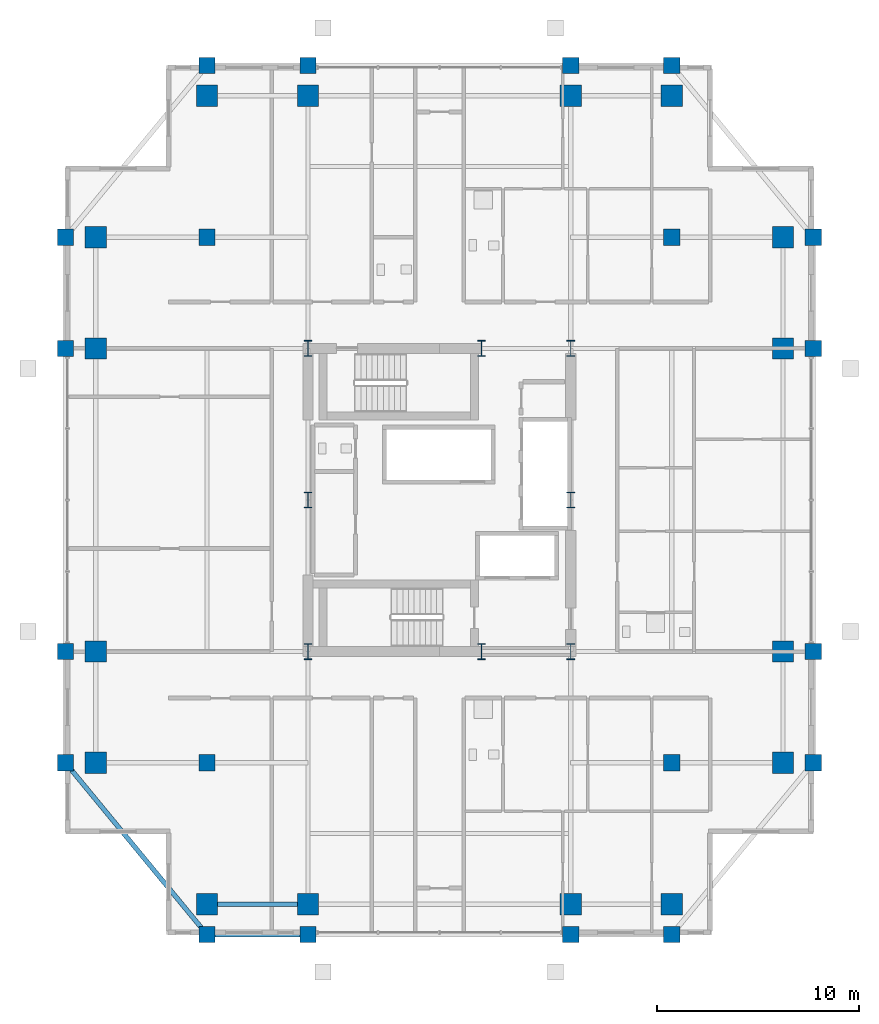
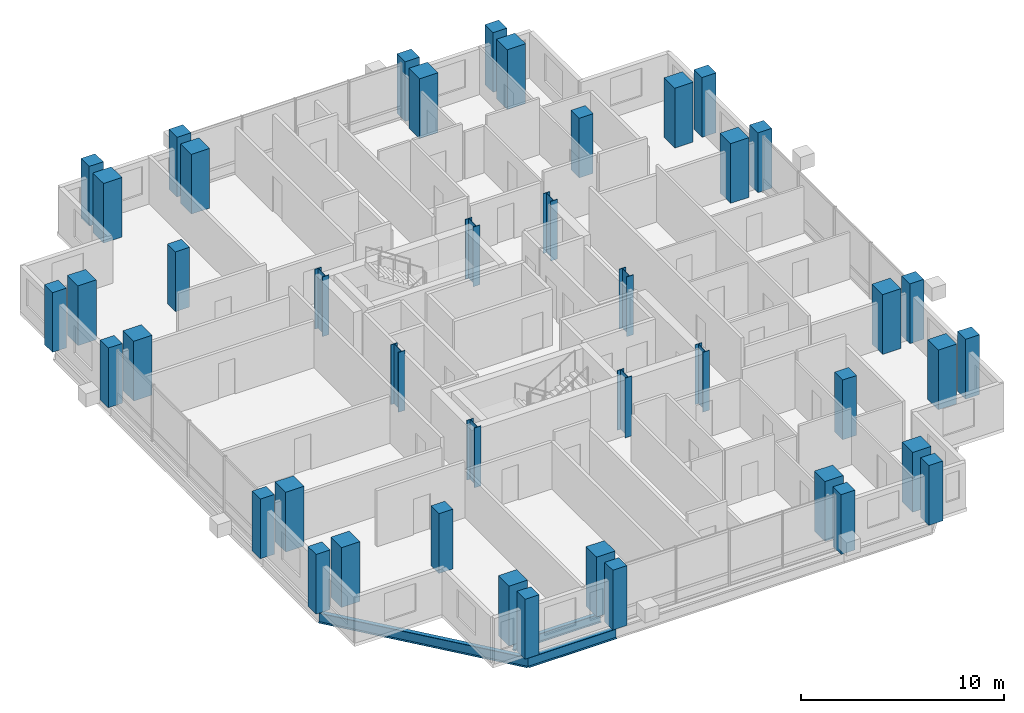
# One storey, part 1 of 24: 44 columns, 3 beams.
"""IFC4 building model written with IfcOpenShell, lengths in metres."""

from ifc_helpers import new_model, si_unit, direction, frame, origin, origin_2d, place, context, subcontext, project, spatial, rectangle, i_section, extrude, material, material_profile, profile_set, type_object, element, save


model = new_model("IFC4")

# Units and contexts
model_context = context("Model", 3, precision=1e-05, world=origin(), true_north=direction((0.0, 1.0)))
body_context = subcontext(model_context, "Body", "Model", "MODEL_VIEW")
ifc_project = project(units=[si_unit("LENGTHUNIT", "METRE"), si_unit("AREAUNIT", "SQUARE_METRE"), si_unit("VOLUMEUNIT", "CUBIC_METRE"), si_unit("PLANEANGLEUNIT", "RADIAN"), si_unit("MASSUNIT", "GRAM", prefix="KILO")], contexts=[model_context])

# Site, building, storey
site_placement = place(None, origin())
site = spatial("IfcSite", under=ifc_project, at=site_placement, CompositionType="ELEMENT")
building_placement = place(site_placement, origin())
building = spatial("IfcBuilding", under=site, at=building_placement, Name="Barlavira Tower and Art Museum", CompositionType="ELEMENT")
storey_placement = place(building_placement, frame((0.0, 0.0, 180.0)))
storey = spatial("IfcBuildingStorey", under=building, at=storey_placement, Name="L46", CompositionType="ELEMENT", Elevation=180.0)

# Columns
ifc_material_1 = material(Name="Steel S355", Category="steel")
ifc_material_profile_1 = material_profile(ifc_material_1, i_section(OverallWidth=0.382080078125, OverallDepth=0.785888671875, WebThickness=0.02001953125, FlangeThickness=0.032958984375, at=origin_2d()), Name="W760x314.0")
ifc_profile_set_1 = profile_set([ifc_material_profile_1], Name="Steel S355")
column_type_1 = type_object("IfcColumnType", Name="Core Composite Column W760x314 Steel S355", PredefinedType="COLUMN", material=ifc_profile_set_1)
for number, where, z_axis, x_axis, name in (
    (1, (-6.5, -7.5, 0.0), (0.0, 0.0, 1.0), (1.0, 0.0, 0.0), "L46 Column CC-L46-C1"),
    (2, (2.080078125, -7.5, 0.0), (0.0, 0.0, 1.0), (1.0, 0.0, 0.0), "L46 Column CC-L46-C2"),
    (3, (6.5, -7.5, 0.0), (0.0, 0.0, 1.0), (1.0, 0.0, 0.0), "L46 Column CC-L46-C3"),
    (4, (-6.5, 0.0, 0.0), (0.0, 0.0, 1.0), (1.0, 0.0, 0.0), "L46 Column CC-L46-C4"),
    (5, (6.5, 0.0, 0.0), (0.0, 0.0, 1.0), (1.0, 0.0, 0.0), "L46 Column CC-L46-C5"),
    (6, (-6.5, 7.5, 0.0), (0.0, 0.0, 1.0), (1.0, 0.0, 0.0), "L46 Column CC-L46-C6"),
    (7, (2.080078125, 7.5, 0.0), (0.0, 0.0, 1.0), (1.0, 0.0, 0.0), "L46 Column CC-L46-C7"),
    (8, (6.5, 7.5, 0.0), (0.0, 0.0, 1.0), (1.0, 0.0, 0.0), "L46 Column CC-L46-C8"),
):
    element("IfcColumn", number, at=place(storey_placement, frame(where, z_axis=z_axis, x_axis=x_axis)), inside=storey, type_object=column_type_1, Name=name, PredefinedType="COLUMN", context=body_context, shape_type="SweptSolid", body=[
        extrude(i_section(OverallWidth=0.382080078125, OverallDepth=0.785888671875, WebThickness=0.02001953125, FlangeThickness=0.032958984375, at=origin_2d()), origin(), (0.0, 0.0, 1.0), 3.60009765625),
    ])
ifc_material_2 = material(Name="Concrete C55", Category="concrete")
ifc_material_profile_2 = material_profile(ifc_material_2, rectangle(XDim=1.050048828125, YDim=1.050048828125, at=origin_2d()), Name="RC-COL 1050x1050")
ifc_profile_set_2 = profile_set([ifc_material_profile_2], Name="Concrete C55")
column_type_2 = type_object("IfcColumnType", Name="Perimeter Mega Column 1050x1050 Concrete C55", PredefinedType="USERDEFINED", material=ifc_profile_set_2)
for number, where, z_axis, x_axis, name in (
    (9, (-11.5, -20.0, 0.0), (0.0, 0.0, 1.0), (1.0, 0.0, 0.0), "L46 Column MC-L46-M01"),
    (10, (-6.5, -20.0, 0.0), (0.0, 0.0, 1.0), (1.0, 0.0, 0.0), "L46 Column MC-L46-M02"),
    (11, (6.5, -20.0, 0.0), (0.0, 0.0, 1.0), (1.0, 0.0, 0.0), "L46 Column MC-L46-M03"),
    (12, (11.5, -20.0, 0.0), (0.0, 0.0, 1.0), (1.0, 0.0, 0.0), "L46 Column MC-L46-M04"),
    (13, (17.0, -13.0, 0.0), (0.0, 0.0, 1.0), (1.0, 0.0, 0.0), "L46 Column MC-L46-M05"),
    (14, (17.0, -7.5, 0.0), (0.0, 0.0, 1.0), (1.0, 0.0, 0.0), "L46 Column MC-L46-M06"),
    (15, (17.0, 7.5, 0.0), (0.0, 0.0, 1.0), (1.0, 0.0, 0.0), "L46 Column MC-L46-M07"),
    (16, (17.0, 13.0, 0.0), (0.0, 0.0, 1.0), (1.0, 0.0, 0.0), "L46 Column MC-L46-M08"),
    (17, (11.5, 20.0, 0.0), (0.0, 0.0, 1.0), (1.0, 0.0, 0.0), "L46 Column MC-L46-M09"),
    (18, (6.5, 20.0, 0.0), (0.0, 0.0, 1.0), (1.0, 0.0, 0.0), "L46 Column MC-L46-M10"),
    (19, (-6.5, 20.0, 0.0), (0.0, 0.0, 1.0), (1.0, 0.0, 0.0), "L46 Column MC-L46-M11"),
    (20, (-11.5, 20.0, 0.0), (0.0, 0.0, 1.0), (1.0, 0.0, 0.0), "L46 Column MC-L46-M12"),
    (21, (-17.0, 13.0, 0.0), (0.0, 0.0, 1.0), (1.0, 0.0, 0.0), "L46 Column MC-L46-M13"),
    (22, (-17.0, 7.5, 0.0), (0.0, 0.0, 1.0), (1.0, 0.0, 0.0), "L46 Column MC-L46-M14"),
    (23, (-17.0, -7.5, 0.0), (0.0, 0.0, 1.0), (1.0, 0.0, 0.0), "L46 Column MC-L46-M15"),
    (24, (-17.0, -13.0, 0.0), (0.0, 0.0, 1.0), (1.0, 0.0, 0.0), "L46 Column MC-L46-M16"),
):
    element("IfcColumn", number, at=place(storey_placement, frame(where, z_axis=z_axis, x_axis=x_axis)), inside=storey, type_object=column_type_2, Name=name, ObjectType="MEGA COLUMN", PredefinedType="USERDEFINED", context=body_context, shape_type="SweptSolid", body=[
        extrude(rectangle(XDim=1.050048828125, YDim=1.050048828125, at=origin_2d()), origin(), (0.0, 0.0, 1.0), 3.60009765625),
    ])
ifc_material_3 = material(Name="Concrete C50", Category="concrete")
ifc_material_profile_3 = material_profile(ifc_material_3, rectangle(XDim=0.800048828125, YDim=0.800048828125, at=origin_2d()), Name="RC-COL 800x800")
ifc_profile_set_3 = profile_set([ifc_material_profile_3], Name="Concrete C50")
column_type_3 = type_object("IfcColumnType", Name="Podium Frame Column 800x800 Concrete C50", PredefinedType="COLUMN", material=ifc_profile_set_3)
for number, where, z_axis, x_axis, name in (
    (25, (-11.5, -13.0, 0.0), (0.0, 0.0, 1.0), (1.0, 0.0, 0.0), "L46 Column CI-L46-I1"),
    (26, (11.5, -13.0, 0.0), (0.0, 0.0, 1.0), (1.0, 0.0, 0.0), "L46 Column CI-L46-I2"),
    (27, (-11.5, 13.0, 0.0), (0.0, 0.0, 1.0), (1.0, 0.0, 0.0), "L46 Column CI-L46-I3"),
    (28, (11.5, 13.0, 0.0), (0.0, 0.0, 1.0), (1.0, 0.0, 0.0), "L46 Column CI-L46-I4"),
    (29, (-11.5, -21.5, 0.0), (0.0, 0.0, 1.0), (1.0, 0.0, 0.0), "L46 Column CZ3-L46-N01"),
    (30, (-6.5, -21.5, 0.0), (0.0, 0.0, 1.0), (1.0, 0.0, 0.0), "L46 Column CZ3-L46-N02"),
    (31, (6.5, -21.5, 0.0), (0.0, 0.0, 1.0), (1.0, 0.0, 0.0), "L46 Column CZ3-L46-N02B"),
    (32, (11.5, -21.5, 0.0), (0.0, 0.0, 1.0), (1.0, 0.0, 0.0), "L46 Column CZ3-L46-N03"),
    (33, (-18.5, -13.0, 0.0), (0.0, 0.0, 1.0), (1.0, 0.0, 0.0), "L46 Column CZ3-L46-N04"),
    (34, (-18.5, -7.5, 0.0), (0.0, 0.0, 1.0), (1.0, 0.0, 0.0), "L46 Column CZ3-L46-N05"),
    (35, (-18.5, 7.5, 0.0), (0.0, 0.0, 1.0), (1.0, 0.0, 0.0), "L46 Column CZ3-L46-N05B"),
    (36, (-18.5, 13.0, 0.0), (0.0, 0.0, 1.0), (1.0, 0.0, 0.0), "L46 Column CZ3-L46-N06"),
    (37, (-11.5, 21.5, 0.0), (0.0, 0.0, 1.0), (1.0, 0.0, 0.0), "L46 Column CZ3-L46-N07"),
    (38, (-6.5, 21.5, 0.0), (0.0, 0.0, 1.0), (1.0, 0.0, 0.0), "L46 Column CZ3-L46-N08"),
    (39, (6.5, 21.5, 0.0), (0.0, 0.0, 1.0), (1.0, 0.0, 0.0), "L46 Column CZ3-L46-N08B"),
    (40, (11.5, 21.5, 0.0), (0.0, 0.0, 1.0), (1.0, 0.0, 0.0), "L46 Column CZ3-L46-N09"),
    (41, (18.5, -13.0, 0.0), (0.0, 0.0, 1.0), (1.0, 0.0, 0.0), "L46 Column CZ3-L46-N10"),
    (42, (18.5, -7.5, 0.0), (0.0, 0.0, 1.0), (1.0, 0.0, 0.0), "L46 Column CZ3-L46-N11"),
    (43, (18.5, 7.5, 0.0), (0.0, 0.0, 1.0), (1.0, 0.0, 0.0), "L46 Column CZ3-L46-N11B"),
    (44, (18.5, 13.0, 0.0), (0.0, 0.0, 1.0), (1.0, 0.0, 0.0), "L46 Column CZ3-L46-N12"),
):
    element("IfcColumn", number, at=place(storey_placement, frame(where, z_axis=z_axis, x_axis=x_axis)), inside=storey, type_object=column_type_3, Name=name, PredefinedType="COLUMN", context=body_context, shape_type="SweptSolid", body=[
        extrude(rectangle(XDim=0.800048828125, YDim=0.800048828125, at=origin_2d()), origin(), (0.0, 0.0, 1.0), 3.60009765625),
    ])

# Beams
ifc_material_profile_4 = material_profile(ifc_material_1, i_section(OverallWidth=0.22998046875, OverallDepth=0.616943359375, WebThickness=0.01318359375, FlangeThickness=0.022216796875, at=origin_2d()), Name="W610x140.0")
ifc_profile_set_4 = profile_set([ifc_material_profile_4], Name="Steel S355")
beam_type_1 = type_object("IfcBeamType", Name="Upper Shaft Spandrel Edge Beam W610x140 Steel S355", PredefinedType="SPANDREL", material=ifc_profile_set_4)
beam_1_placement = place(storey_placement, frame((-11.5, -21.5, -0.528564453125), z_axis=(1.0, 0.0, 0.0), x_axis=(0.0, 1.0, 0.0)))
element("IfcBeam", 45, at=beam_1_placement, inside=storey, type_object=beam_type_1, Name="L46 Spandrel 1", PredefinedType="SPANDREL", context=body_context, shape_type="SweptSolid", body=[
    extrude(i_section(OverallWidth=0.22998046875, OverallDepth=0.616943359375, WebThickness=0.01318359375, FlangeThickness=0.022216796875, at=origin_2d()), origin(), (0.0, 0.0, 1.0), 5.0),
])
beam_2_placement = place(storey_placement, frame((-18.5, -13.0, -0.528564453125), z_axis=(0.635707252861, -0.771930235617, 0.0), x_axis=(0.771930235617, 0.635707252861, 0.0)))
element("IfcBeam", 46, at=beam_2_placement, inside=storey, type_object=beam_type_1, Name="L46 Spandrel 16", PredefinedType="SPANDREL", context=body_context, shape_type="SweptSolid", body=[
    extrude(i_section(OverallWidth=0.22998046875, OverallDepth=0.616943359375, WebThickness=0.01318359375, FlangeThickness=0.022216796875, at=origin_2d()), origin(), (0.0, 0.0, 1.0), 11.011474609375),
])
ifc_material_profile_5 = material_profile(ifc_material_1, i_section(OverallWidth=0.2109375, OverallDepth=0.5390625, WebThickness=0.01171875, FlangeThickness=0.018798828125, at=origin_2d()), Name="W530x109.0")
ifc_profile_set_5 = profile_set([ifc_material_profile_5], Name="Steel S355")
beam_type_2 = type_object("IfcBeamType", Name="Zone 3-4 Primary Floor Girder W530x109 Steel S355", PredefinedType="BEAM", material=ifc_profile_set_5)
beam_3_placement = place(storey_placement, frame((-11.5, -20.0, -0.489501953125), z_axis=(1.0, 0.0, 0.0), x_axis=(0.0, 1.0, 0.0)))
element("IfcBeam", 47, at=beam_3_placement, inside=storey, type_object=beam_type_2, Name="L46 Girder M-S1", PredefinedType="BEAM", context=body_context, shape_type="SweptSolid", body=[
    extrude(i_section(OverallWidth=0.2109375, OverallDepth=0.5390625, WebThickness=0.01171875, FlangeThickness=0.018798828125, at=origin_2d()), origin(), (0.0, 0.0, 1.0), 5.0),
])

save(model, "model.ifc")
